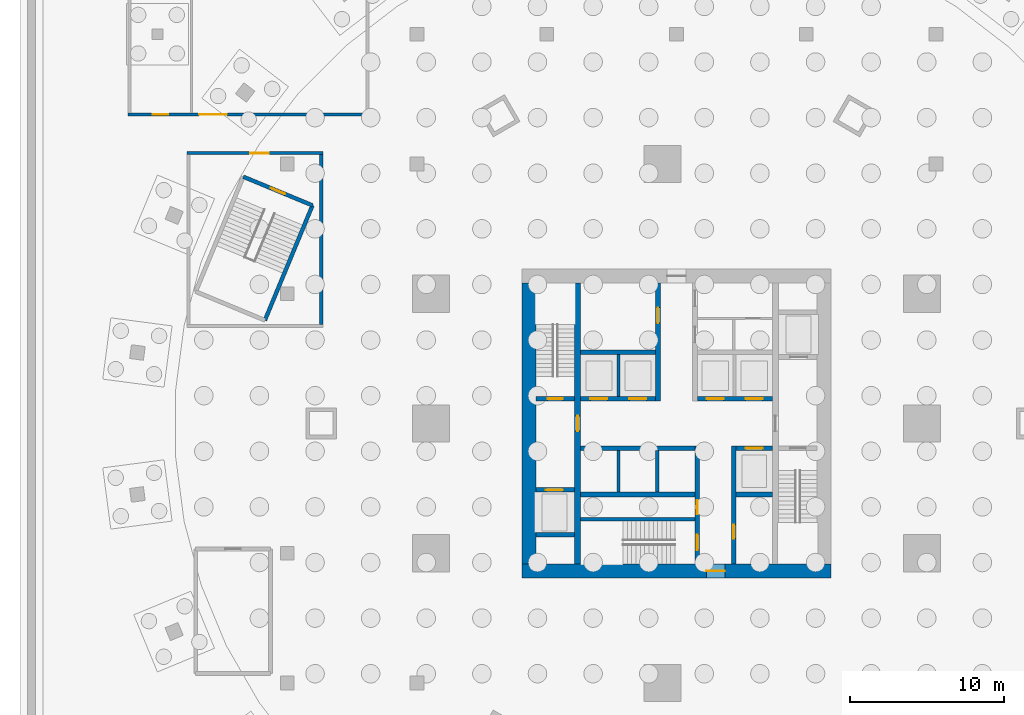
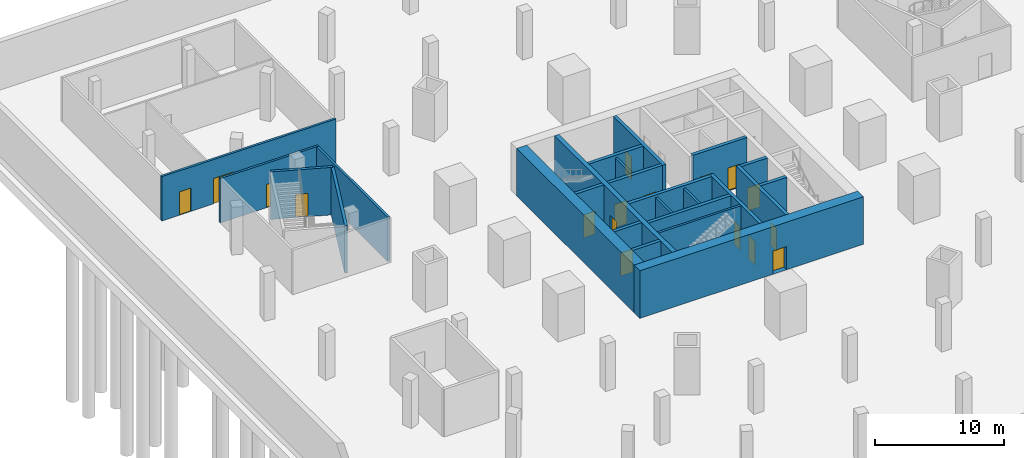
# One storey, part 5 of 12: 25 walls, 17 doors, 17 openings.
"""IFC4 building model written with IfcOpenShell, lengths in metres."""

from ifc_helpers import new_model, si_unit, direction, frame, frame_2d, origin, place, context, subcontext, project, spatial, rectangle, extrude, material, layer, layer_set, type_object, element, fill, save


model = new_model("IFC4")

# Units and contexts
model_context = context("Model", 3, precision=1e-05, world=origin(), true_north=direction((0.0, 1.0)))
body_context = subcontext(model_context, "Body", "Model", "MODEL_VIEW")
ifc_project = project(units=[si_unit("LENGTHUNIT", "METRE"), si_unit("AREAUNIT", "SQUARE_METRE"), si_unit("VOLUMEUNIT", "CUBIC_METRE"), si_unit("PLANEANGLEUNIT", "RADIAN"), si_unit("MASSUNIT", "GRAM", prefix="KILO")], contexts=[model_context])

# Site, building, storey
site_placement = place(None, origin())
site = spatial("IfcSite", under=ifc_project, at=site_placement, CompositionType="ELEMENT")
building_placement = place(site_placement, origin())
building = spatial("IfcBuilding", under=site, at=building_placement, Name="Golbaran Civic Tower", CompositionType="ELEMENT")
storey_placement = place(building_placement, frame((0.0, 0.0, -13.5)))
storey = spatial("IfcBuildingStorey", under=building, at=storey_placement, Name="B3", CompositionType="ELEMENT", Elevation=-13.5)

# Wall, openings, doors
ifc_material_1 = material(Name="Concrete block, fire-rated", Category="concrete")
ifc_layer_1 = layer(ifc_material_1, 0.199951171875, Name="Concrete block, fire-rated")
ifc_layer_set_1 = layer_set([ifc_layer_1], Name="Concrete block, fire-rated")
wall_type_1 = type_object("IfcWallType", Name="BASEMENT ROOM WALL 200", PredefinedType="PARTITIONING", material=ifc_layer_set_1)
wall_1_placement = place(storey_placement, frame((-35.5, 20.0, 0.0), z_axis=(0.0, 0.0, 1.0), x_axis=(1.0, 0.0, 0.0)))
wall_1 = element("IfcWall", 1, at=wall_1_placement, inside=storey, type_object=wall_type_1, Name="Main Plant Room wall B3", PredefinedType="PARTITIONING", context=body_context, shape_type="SweptSolid", body=[
    extrude(rectangle(XDim=15.60009765625, YDim=0.199951171875, at=frame_2d((7.800048828125, 0.0))), origin(), (0.0, 0.0, 1.0), 4.199951171875),
])
opening_1_placement = place(wall_1_placement, frame((4.60009765625, 0.0, 0.0)))
opening_1 = element("IfcOpeningElement", 2, at=opening_1_placement, cuts=wall_1, Name="Opening B3.03", PredefinedType="OPENING", context=body_context, shape_type="SweptSolid", body=[
    extrude(rectangle(XDim=1.800048828125, YDim=2.39990234375, at=frame_2d((0.89990234375, 1.199951171875))), frame((0.0, 0.10986328125, 0.0), z_axis=(0.0, -1.0, 0.0), x_axis=(1.0, 0.0, 0.0)), (0.0, 0.0, 1.0), 0.219970703125),
])
opening_2_placement = place(wall_1_placement, frame((1.60009765625, 0.0, 0.0)))
opening_2 = element("IfcOpeningElement", 3, at=opening_2_placement, cuts=wall_1, Name="Opening B3.04", PredefinedType="OPENING", context=body_context, shape_type="SweptSolid", body=[
    extrude(rectangle(XDim=1.0, YDim=2.199951171875, at=frame_2d((0.5, 1.10009765625))), frame((0.0, 0.10986328125, 0.0), z_axis=(0.0, -1.0, 0.0), x_axis=(1.0, 0.0, 0.0)), (0.0, 0.0, 1.0), 0.219970703125),
])
ifc_material_2 = material(Name="Steel door set, fire-rated", Category="steel")
door_type_1 = type_object("IfcDoorType", Name="BASEMENT ROOM DOOR 1000x2200", OperationType="SINGLE_SWING_LEFT", PredefinedType="DOOR", material=ifc_material_2)
door_1_placement = place(opening_2_placement, origin())
door_1 = element("IfcDoor", 4, at=door_1_placement, inside=storey, type_object=door_type_1, Name="Sprinkler Valve Room door B3", OperationType="SINGLE_SWING_LEFT", OverallHeight=2.199951171875, OverallWidth=1.0, PredefinedType="DOOR", context=body_context, shape_type="SweptSolid", body=[
    extrude(rectangle(XDim=1.0, YDim=2.199951171875, at=frame_2d((0.5, 1.10009765625))), frame((0.0, 0.02490234375, 0.0), z_axis=(0.0, -1.0, 0.0), x_axis=(1.0, 0.0, 0.0)), (0.0, 0.0, 1.0), 0.050048828125),
])
fill(opening_2, door_1)
door_type_2 = type_object("IfcDoorType", Name="BASEMENT ROOM DOUBLE DOOR 1800x2400", OperationType="DOUBLE_DOOR_SINGLE_SWING", PredefinedType="DOOR", material=ifc_material_2)
door_2_placement = place(opening_1_placement, origin())
door_2 = element("IfcDoor", 5, at=door_2_placement, inside=storey, type_object=door_type_2, Name="Pump Room door B3", OperationType="DOUBLE_DOOR_SINGLE_SWING", OverallHeight=2.39990234375, OverallWidth=1.800048828125, PredefinedType="DOOR", context=body_context, shape_type="SweptSolid", body=[
    extrude(rectangle(XDim=1.800048828125, YDim=2.39990234375, at=frame_2d((0.89990234375, 1.199951171875))), frame((0.0, 0.02490234375, 0.0), z_axis=(0.0, -1.0, 0.0), x_axis=(1.0, 0.0, 0.0)), (0.0, 0.0, 1.0), 0.050048828125),
])
fill(opening_1, door_2)

# Wall, opening, door
ifc_material_3 = material(Name="Concrete C50/60", Category="concrete")
ifc_layer_2 = layer(ifc_material_3, 0.39990234375, Name="Concrete C50/60")
ifc_layer_set_2 = layer_set([ifc_layer_2], Name="Concrete C50/60")
wall_type_2 = type_object("IfcWallType", Name="CORE WALL CONCRETE 400", PredefinedType="SOLIDWALL", material=ifc_layer_set_2)
wall_2_placement = place(storey_placement, frame((-6.39990234375, -9.10009765625, 0.0), z_axis=(0.0, 0.0, 1.0), x_axis=(0.0, 1.0, 0.0)))
wall_2 = element("IfcWall", 6, at=wall_2_placement, inside=storey, type_object=wall_type_2, Name="Core wall IW B3", PredefinedType="SOLIDWALL", context=body_context, shape_type="SweptSolid", body=[
    extrude(rectangle(XDim=18.2001953125, YDim=0.39990234375, at=frame_2d((9.10009765625, 0.0))), origin(), (0.0, 0.0, 1.0), 4.5),
])
opening_3_placement = place(wall_2_placement, frame((8.60009765625, 0.0, 0.0)))
opening_3 = element("IfcOpeningElement", 7, at=opening_3_placement, cuts=wall_2, Name="Opening B3.FL1", PredefinedType="OPENING", context=body_context, shape_type="SweptSolid", body=[
    extrude(rectangle(XDim=1.0, YDim=2.199951171875, at=frame_2d((0.5, 1.10009765625))), frame((0.0, 0.2099609375, 0.0), z_axis=(0.0, -1.0, 0.0), x_axis=(1.0, 0.0, 0.0)), (0.0, 0.0, 1.0), 0.419921875),
])
ifc_material_4 = material(Name="Timber door set in steel frame", Category="steel")
door_type_3 = type_object("IfcDoorType", Name="STAIR DOOR 1000x2200", OperationType="SINGLE_SWING_LEFT", PredefinedType="DOOR", material=ifc_material_4)
door_3_placement = place(opening_3_placement, origin())
door_3 = element("IfcDoor", 8, at=door_3_placement, inside=storey, type_object=door_type_3, Name="Fire-fighting lobby FL1 door", OperationType="SINGLE_SWING_LEFT", OverallHeight=2.199951171875, OverallWidth=1.0, PredefinedType="DOOR", context=body_context, shape_type="SweptSolid", body=[
    extrude(rectangle(XDim=1.0, YDim=2.199951171875, at=frame_2d((0.5, 1.10009765625))), frame((0.0, 0.02490234375, 0.0), z_axis=(0.0, -1.0, 0.0), x_axis=(1.0, 0.0, 0.0)), (0.0, 0.0, 1.0), 0.050048828125),
])
fill(opening_3, door_3)

ifc_layer_3 = layer(ifc_material_3, 0.89990234375, Name="Concrete C50/60")
ifc_layer_set_3 = layer_set([ifc_layer_3], Name="Concrete C50/60")
wall_type_3 = type_object("IfcWallType", Name="CORE WALL CONCRETE 900", PredefinedType="SOLIDWALL", material=ifc_layer_set_3)
wall_3_placement = place(storey_placement, frame((10.0, -9.550048828125, 0.0), z_axis=(0.0, 0.0, 1.0), x_axis=(-1.0, 0.0, 0.0)))
wall_3 = element("IfcWall", 9, at=wall_3_placement, inside=storey, type_object=wall_type_3, Name="Core wall CS B3", PredefinedType="SOLIDWALL", context=body_context, shape_type="SweptSolid", body=[
    extrude(rectangle(XDim=20.0, YDim=0.89990234375, at=frame_2d((10.0, 0.0))), origin(), (0.0, 0.0, 1.0), 4.5),
])
opening_4_placement = place(wall_3_placement, frame((6.875, 0.0, 0.0)))
opening_4 = element("IfcOpeningElement", 10, at=opening_4_placement, cuts=wall_3, Name="Opening B3.CS", PredefinedType="OPENING", context=body_context, shape_type="SweptSolid", body=[
    extrude(rectangle(XDim=1.199951171875, YDim=2.199951171875, at=frame_2d((0.60009765625, 1.10009765625))), frame((0.0, 0.4599609375, 0.0), z_axis=(0.0, -1.0, 0.0), x_axis=(1.0, 0.0, 0.0)), (0.0, 0.0, 1.0), 0.919921875),
])
door_type_4 = type_object("IfcDoorType", Name="CORE DOOR 1200x2200", OperationType="DOUBLE_DOOR_SINGLE_SWING", PredefinedType="DOOR", material=ifc_material_4)
door_4_placement = place(opening_4_placement, origin())
door_4 = element("IfcDoor", 11, at=door_4_placement, inside=storey, type_object=door_type_4, Name="Core door south", OperationType="DOUBLE_DOOR_SINGLE_SWING", OverallHeight=2.199951171875, OverallWidth=1.199951171875, PredefinedType="DOOR", context=body_context, shape_type="SweptSolid", body=[
    extrude(rectangle(XDim=1.199951171875, YDim=2.199951171875, at=frame_2d((0.60009765625, 1.10009765625))), frame((0.0, 0.02490234375, 0.0), z_axis=(0.0, -1.0, 0.0), x_axis=(1.0, 0.0, 0.0)), (0.0, 0.0, 1.0), 0.050048828125),
])
fill(opening_4, door_4)

# Walls
wall_4_placement = place(storey_placement, frame((-9.550048828125, 9.10009765625, 0.0), z_axis=(0.0, 0.0, 1.0), x_axis=(0.0, -1.0, 0.0)))
element("IfcWall", 12, at=wall_4_placement, inside=storey, type_object=wall_type_3, Name="Core wall CW B3", PredefinedType="SOLIDWALL", context=body_context, shape_type="SweptSolid", body=[
    extrude(rectangle(XDim=18.2001953125, YDim=0.89990234375, at=frame_2d((9.10009765625, 0.0))), origin(), (0.0, 0.0, 1.0), 4.5),
])
ifc_material_5 = material(Name="Concrete block", Category="concrete")
ifc_layer_4 = layer(ifc_material_5, 0.199951171875, Name="Concrete block")
ifc_layer_set_4 = layer_set([ifc_layer_4], Name="Concrete block")
wall_type_4 = type_object("IfcWallType", Name="LIFT SEPARATOR WALL 200", PredefinedType="SOLIDWALL", material=ifc_layer_set_4)
for number, where, z_axis, x_axis, name in (
    (13, (-3.75, 1.75, 0.0), (0.0, 0.0, 1.0), (0.0, 1.0, 0.0), "Core partition SNW B3"),
    (14, (-3.75, -1.75, 0.0), (0.0, 0.0, 1.0), (0.0, -1.0, 0.0), "Core partition SSW B3"),
    (15, (-1.25, -1.75, 0.0), (0.0, 0.0, 1.0), (0.0, -1.0, 0.0), "Core partition SSM B3"),
):
    element("IfcWall", number, at=place(storey_placement, frame(where, z_axis=z_axis, x_axis=x_axis)), inside=storey, type_object=wall_type_4, Name=name, PredefinedType="SOLIDWALL", context=body_context, shape_type="SweptSolid", body=[
        extrude(rectangle(XDim=2.699951171875, YDim=0.199951171875, at=frame_2d((1.35009765625, 0.0))), origin(), (0.0, 0.0, 1.0), 4.25),
    ])
ifc_layer_5 = layer(ifc_material_3, 0.199951171875, Name="Concrete C50/60")
ifc_layer_set_5 = layer_set([ifc_layer_5], Name="Concrete C50/60")
wall_type_5 = type_object("IfcWallType", Name="SHAFT WALL CONCRETE 200", PredefinedType="SOLIDWALL", material=ifc_layer_set_5)
wall_5_placement = place(storey_placement, frame((-6.199951171875, -6.199951171875, 0.0), z_axis=(0.0, 0.0, 1.0), x_axis=(1.0, 0.0, 0.0)))
element("IfcWall", 16, at=wall_5_placement, inside=storey, type_object=wall_type_5, Name="Core wall S3N B3", PredefinedType="SOLIDWALL", context=body_context, shape_type="SweptSolid", body=[
    extrude(rectangle(XDim=7.39990234375, YDim=0.199951171875, at=frame_2d((3.699951171875, 0.0))), origin(), (0.0, 0.0, 1.0), 4.5),
])

# Wall, openings, doors
ifc_layer_6 = layer(ifc_material_3, 0.300048828125, Name="Concrete C50/60")
ifc_layer_set_6 = layer_set([ifc_layer_6], Name="Concrete C50/60")
wall_type_6 = type_object("IfcWallType", Name="SHAFT WALL CONCRETE 300", PredefinedType="SOLIDWALL", material=ifc_layer_set_6)
wall_6_placement = place(storey_placement, frame((-6.199951171875, 1.60009765625, 0.0), z_axis=(0.0, 0.0, 1.0), x_axis=(1.0, 0.0, 0.0)))
wall_6 = element("IfcWall", 17, at=wall_6_placement, inside=storey, type_object=wall_type_6, Name="Core wall FNW B3", PredefinedType="SOLIDWALL", context=body_context, shape_type="SweptSolid", body=[
    extrude(rectangle(XDim=4.849853515625, YDim=0.300048828125, at=frame_2d((2.4248046875, 0.0))), origin(), (0.0, 0.0, 1.0), 4.5),
])
opening_5_placement = place(wall_6_placement, frame((0.625, 0.0, 0.0)))
opening_5 = element("IfcOpeningElement", 18, at=opening_5_placement, cuts=wall_6, Name="Opening B3.LD-Z1L", PredefinedType="OPENING", context=body_context, shape_type="SweptSolid", body=[
    extrude(rectangle(XDim=1.10009765625, YDim=2.199951171875, at=frame_2d((0.550048828125, 1.10009765625))), frame((0.0, 0.159912109375, 0.0), z_axis=(0.0, -1.0, 0.0), x_axis=(1.0, 0.0, 0.0)), (0.0, 0.0, 1.0), 0.320068359375),
])
opening_6_placement = place(wall_6_placement, frame((3.14990234375, 0.0, 0.0)))
opening_6 = element("IfcOpeningElement", 19, at=opening_6_placement, cuts=wall_6, Name="Opening B3.LD-Z2L", PredefinedType="OPENING", context=body_context, shape_type="SweptSolid", body=[
    extrude(rectangle(XDim=1.10009765625, YDim=2.199951171875, at=frame_2d((0.550048828125, 1.10009765625))), frame((0.0, 0.159912109375, 0.0), z_axis=(0.0, -1.0, 0.0), x_axis=(1.0, 0.0, 0.0)), (0.0, 0.0, 1.0), 0.320068359375),
])
ifc_material_6 = material(Name="Stainless steel", Category="steel")
door_type_5 = type_object("IfcDoorType", Name="LIFT LANDING DOOR 1100x2200", OperationType="SLIDING_TO_LEFT", PredefinedType="DOOR", material=ifc_material_6)
door_5_placement = place(opening_5_placement, origin())
door_5 = element("IfcDoor", 20, at=door_5_placement, inside=storey, type_object=door_type_5, Name="Lift landing door Z1L", OperationType="SLIDING_TO_LEFT", OverallHeight=2.199951171875, OverallWidth=1.10009765625, PredefinedType="DOOR", context=body_context, shape_type="SweptSolid", body=[
    extrude(rectangle(XDim=1.10009765625, YDim=2.199951171875, at=frame_2d((0.550048828125, 1.10009765625))), frame((0.0, 0.02490234375, 0.0), z_axis=(0.0, -1.0, 0.0), x_axis=(1.0, 0.0, 0.0)), (0.0, 0.0, 1.0), 0.050048828125),
])
fill(opening_5, door_5)
door_6_placement = place(opening_6_placement, origin())
door_6 = element("IfcDoor", 21, at=door_6_placement, inside=storey, type_object=door_type_5, Name="Lift landing door Z2L", OperationType="SLIDING_TO_LEFT", OverallHeight=2.199951171875, OverallWidth=1.10009765625, PredefinedType="DOOR", context=body_context, shape_type="SweptSolid", body=[
    extrude(rectangle(XDim=1.10009765625, YDim=2.199951171875, at=frame_2d((0.550048828125, 1.10009765625))), frame((0.0, 0.02490234375, 0.0), z_axis=(0.0, -1.0, 0.0), x_axis=(1.0, 0.0, 0.0)), (0.0, 0.0, 1.0), 0.050048828125),
])
fill(opening_6, door_6)

wall_7_placement = place(storey_placement, frame((1.35009765625, 1.60009765625, 0.0), z_axis=(0.0, 0.0, 1.0), x_axis=(1.0, 0.0, 0.0)))
wall_7 = element("IfcWall", 22, at=wall_7_placement, inside=storey, type_object=wall_type_6, Name="Core wall FNE B3", PredefinedType="SOLIDWALL", context=body_context, shape_type="SweptSolid", body=[
    extrude(rectangle(XDim=4.849853515625, YDim=0.300048828125, at=frame_2d((2.4248046875, 0.0))), origin(), (0.0, 0.0, 1.0), 4.5),
])
opening_7_placement = place(wall_7_placement, frame((0.60009765625, 0.0, 0.0)))
opening_7 = element("IfcOpeningElement", 23, at=opening_7_placement, cuts=wall_7, Name="Opening B3.LD-Z3L", PredefinedType="OPENING", context=body_context, shape_type="SweptSolid", body=[
    extrude(rectangle(XDim=1.10009765625, YDim=2.199951171875, at=frame_2d((0.550048828125, 1.10009765625))), frame((0.0, 0.159912109375, 0.0), z_axis=(0.0, -1.0, 0.0), x_axis=(1.0, 0.0, 0.0)), (0.0, 0.0, 1.0), 0.320068359375),
])
opening_8_placement = place(wall_7_placement, frame((3.125, 0.0, 0.0)))
opening_8 = element("IfcOpeningElement", 24, at=opening_8_placement, cuts=wall_7, Name="Opening B3.LD-Z4L", PredefinedType="OPENING", context=body_context, shape_type="SweptSolid", body=[
    extrude(rectangle(XDim=1.10009765625, YDim=2.199951171875, at=frame_2d((0.550048828125, 1.10009765625))), frame((0.0, 0.159912109375, 0.0), z_axis=(0.0, -1.0, 0.0), x_axis=(1.0, 0.0, 0.0)), (0.0, 0.0, 1.0), 0.320068359375),
])
door_7_placement = place(opening_7_placement, origin())
door_7 = element("IfcDoor", 25, at=door_7_placement, inside=storey, type_object=door_type_5, Name="Lift landing door Z3L", OperationType="SLIDING_TO_LEFT", OverallHeight=2.199951171875, OverallWidth=1.10009765625, PredefinedType="DOOR", context=body_context, shape_type="SweptSolid", body=[
    extrude(rectangle(XDim=1.10009765625, YDim=2.199951171875, at=frame_2d((0.550048828125, 1.10009765625))), frame((0.0, 0.02490234375, 0.0), z_axis=(0.0, -1.0, 0.0), x_axis=(1.0, 0.0, 0.0)), (0.0, 0.0, 1.0), 0.050048828125),
])
fill(opening_7, door_7)
door_8_placement = place(opening_8_placement, origin())
door_8 = element("IfcDoor", 26, at=door_8_placement, inside=storey, type_object=door_type_5, Name="Lift landing door Z4L", OperationType="SLIDING_TO_LEFT", OverallHeight=2.199951171875, OverallWidth=1.10009765625, PredefinedType="DOOR", context=body_context, shape_type="SweptSolid", body=[
    extrude(rectangle(XDim=1.10009765625, YDim=2.199951171875, at=frame_2d((0.550048828125, 1.10009765625))), frame((0.0, 0.02490234375, 0.0), z_axis=(0.0, -1.0, 0.0), x_axis=(1.0, 0.0, 0.0)), (0.0, 0.0, 1.0), 0.050048828125),
])
fill(opening_8, door_8)

# Wall
wall_8_placement = place(storey_placement, frame((-6.199951171875, 4.60009765625, 0.0), z_axis=(0.0, 0.0, 1.0), x_axis=(1.0, 0.0, 0.0)))
element("IfcWall", 27, at=wall_8_placement, inside=storey, type_object=wall_type_6, Name="Core wall BNW B3", PredefinedType="SOLIDWALL", context=body_context, shape_type="SweptSolid", body=[
    extrude(rectangle(XDim=4.849853515625, YDim=0.300048828125, at=frame_2d((2.4248046875, 0.0))), origin(), (0.0, 0.0, 1.0), 4.5),
])

# Wall, opening, door
wall_9_placement = place(storey_placement, frame((-1.199951171875, 1.449951171875, 0.0), z_axis=(0.0, 0.0, 1.0), x_axis=(0.0, 1.0, 0.0)))
wall_9 = element("IfcWall", 28, at=wall_9_placement, inside=storey, type_object=wall_type_6, Name="Core wall PNW B3", PredefinedType="SOLIDWALL", context=body_context, shape_type="SweptSolid", body=[
    extrude(rectangle(XDim=7.650146484375, YDim=0.300048828125, at=frame_2d((3.8251953125, 0.0))), origin(), (0.0, 0.0, 1.0), 4.5),
])
opening_9_placement = place(wall_9_placement, frame((5.050048828125, 0.0, 0.0)))
opening_9 = element("IfcOpeningElement", 29, at=opening_9_placement, cuts=wall_9, Name="Opening B3.WCM", PredefinedType="OPENING", context=body_context, shape_type="SweptSolid", body=[
    extrude(rectangle(XDim=1.0, YDim=2.199951171875, at=frame_2d((0.5, 1.10009765625))), frame((0.0, 0.159912109375, 0.0), z_axis=(0.0, -1.0, 0.0), x_axis=(1.0, 0.0, 0.0)), (0.0, 0.0, 1.0), 0.320068359375),
])
door_type_6 = type_object("IfcDoorType", Name="TOILET DOOR 1000x2200", OperationType="SINGLE_SWING_LEFT", PredefinedType="DOOR", material=ifc_material_4)
door_9_placement = place(opening_9_placement, origin())
door_9 = element("IfcDoor", 30, at=door_9_placement, inside=storey, type_object=door_type_6, Name="North-west toilet block door", OperationType="SINGLE_SWING_RIGHT", OverallHeight=2.199951171875, OverallWidth=1.0, PredefinedType="DOOR", context=body_context, shape_type="SweptSolid", body=[
    extrude(rectangle(XDim=1.0, YDim=2.199951171875, at=frame_2d((0.5, 1.10009765625))), frame((0.0, 0.02490234375, 0.0), z_axis=(0.0, -1.0, 0.0), x_axis=(1.0, 0.0, 0.0)), (0.0, 0.0, 1.0), 0.050048828125),
])
fill(opening_9, door_9)

# Wall
wall_10_placement = place(storey_placement, frame((-6.199951171875, -1.60009765625, 0.0), z_axis=(0.0, 0.0, 1.0), x_axis=(1.0, 0.0, 0.0)))
element("IfcWall", 31, at=wall_10_placement, inside=storey, type_object=wall_type_6, Name="Core wall FSW B3", PredefinedType="SOLIDWALL", context=body_context, shape_type="SweptSolid", body=[
    extrude(rectangle(XDim=7.39990234375, YDim=0.300048828125, at=frame_2d((3.699951171875, 0.0))), origin(), (0.0, 0.0, 1.0), 4.5),
])

# Wall, opening, door
wall_11_placement = place(storey_placement, frame((3.85009765625, -1.60009765625, 0.0), z_axis=(0.0, 0.0, 1.0), x_axis=(1.0, 0.0, 0.0)))
wall_11 = element("IfcWall", 32, at=wall_11_placement, inside=storey, type_object=wall_type_6, Name="Core wall FSE B3", PredefinedType="SOLIDWALL", context=body_context, shape_type="SweptSolid", body=[
    extrude(rectangle(XDim=2.349853515625, YDim=0.300048828125, at=frame_2d((1.1748046875, 0.0))), origin(), (0.0, 0.0, 1.0), 4.5),
])
opening_10_placement = place(wall_11_placement, frame((0.625, 0.0, 0.0)))
opening_10 = element("IfcOpeningElement", 33, at=opening_10_placement, cuts=wall_11, Name="Opening B3.LD-V1", PredefinedType="OPENING", context=body_context, shape_type="SweptSolid", body=[
    extrude(rectangle(XDim=1.10009765625, YDim=2.199951171875, at=frame_2d((0.550048828125, 1.10009765625))), frame((0.0, 0.159912109375, 0.0), z_axis=(0.0, -1.0, 0.0), x_axis=(1.0, 0.0, 0.0)), (0.0, 0.0, 1.0), 0.320068359375),
])
door_10_placement = place(opening_10_placement, origin())
door_10 = element("IfcDoor", 34, at=door_10_placement, inside=storey, type_object=door_type_5, Name="Lift landing door V1", OperationType="SLIDING_TO_LEFT", OverallHeight=2.199951171875, OverallWidth=1.10009765625, PredefinedType="DOOR", context=body_context, shape_type="SweptSolid", body=[
    extrude(rectangle(XDim=1.10009765625, YDim=2.199951171875, at=frame_2d((0.550048828125, 1.10009765625))), frame((0.0, 0.02490234375, 0.0), z_axis=(0.0, -1.0, 0.0), x_axis=(1.0, 0.0, 0.0)), (0.0, 0.0, 1.0), 0.050048828125),
])
fill(opening_10, door_10)

# Walls
wall_12_placement = place(storey_placement, frame((-6.199951171875, -4.60009765625, 0.0), z_axis=(0.0, 0.0, 1.0), x_axis=(1.0, 0.0, 0.0)))
element("IfcWall", 35, at=wall_12_placement, inside=storey, type_object=wall_type_6, Name="Core wall BSW B3", PredefinedType="SOLIDWALL", context=body_context, shape_type="SweptSolid", body=[
    extrude(rectangle(XDim=7.39990234375, YDim=0.300048828125, at=frame_2d((3.699951171875, 0.0))), origin(), (0.0, 0.0, 1.0), 4.5),
])
wall_13_placement = place(storey_placement, frame((3.85009765625, -4.60009765625, 0.0), z_axis=(0.0, 0.0, 1.0), x_axis=(1.0, 0.0, 0.0)))
element("IfcWall", 36, at=wall_13_placement, inside=storey, type_object=wall_type_6, Name="Core wall BSE B3", PredefinedType="SOLIDWALL", context=body_context, shape_type="SweptSolid", body=[
    extrude(rectangle(XDim=2.349853515625, YDim=0.300048828125, at=frame_2d((1.1748046875, 0.0))), origin(), (0.0, 0.0, 1.0), 4.5),
])

# Wall, openings, doors
wall_14_placement = place(storey_placement, frame((1.35009765625, -1.449951171875, 0.0), z_axis=(0.0, 0.0, 1.0), x_axis=(0.0, -1.0, 0.0)))
wall_14 = element("IfcWall", 37, at=wall_14_placement, inside=storey, type_object=wall_type_6, Name="Core wall PSW B3", PredefinedType="SOLIDWALL", context=body_context, shape_type="SweptSolid", body=[
    extrude(rectangle(XDim=7.650146484375, YDim=0.300048828125, at=frame_2d((3.8251953125, 0.0))), origin(), (0.0, 0.0, 1.0), 4.5),
])
opening_11_placement = place(wall_14_placement, frame((5.75, 0.0, 0.0)))
opening_11 = element("IfcOpeningElement", 38, at=opening_11_placement, cuts=wall_14, Name="Opening B3.S3", PredefinedType="OPENING", context=body_context, shape_type="SweptSolid", body=[
    extrude(rectangle(XDim=1.0, YDim=2.199951171875, at=frame_2d((0.5, 1.10009765625))), frame((0.0, 0.159912109375, 0.0), z_axis=(0.0, -1.0, 0.0), x_axis=(1.0, 0.0, 0.0)), (0.0, 0.0, 1.0), 0.320068359375),
])
opening_12_placement = place(wall_14_placement, frame((3.52490234375, 0.0, 0.0)))
opening_12 = element("IfcOpeningElement", 39, at=opening_12_placement, cuts=wall_14, Name="Opening B3.RE", PredefinedType="OPENING", context=body_context, shape_type="SweptSolid", body=[
    extrude(rectangle(XDim=0.89990234375, YDim=2.199951171875, at=frame_2d((0.449951171875, 1.10009765625))), frame((0.0, 0.159912109375, 0.0), z_axis=(0.0, -1.0, 0.0), x_axis=(1.0, 0.0, 0.0)), (0.0, 0.0, 1.0), 0.320068359375),
])
door_type_7 = type_object("IfcDoorType", Name="RISER DOOR 900x2200", OperationType="SINGLE_SWING_LEFT", PredefinedType="DOOR", material=ifc_material_4)
door_11_placement = place(opening_12_placement, origin())
door_11 = element("IfcDoor", 40, at=door_11_placement, inside=storey, type_object=door_type_7, Name="Electrical riser door", OperationType="SINGLE_SWING_RIGHT", OverallHeight=2.199951171875, OverallWidth=0.89990234375, PredefinedType="DOOR", context=body_context, shape_type="SweptSolid", body=[
    extrude(rectangle(XDim=0.89990234375, YDim=2.199951171875, at=frame_2d((0.449951171875, 1.10009765625))), frame((0.0, 0.02490234375, 0.0), z_axis=(0.0, -1.0, 0.0), x_axis=(1.0, 0.0, 0.0)), (0.0, 0.0, 1.0), 0.050048828125),
])
fill(opening_12, door_11)
door_12_placement = place(opening_11_placement, origin())
door_12 = element("IfcDoor", 41, at=door_12_placement, inside=storey, type_object=door_type_3, Name="Stair S3 door", OperationType="SINGLE_SWING_RIGHT", OverallHeight=2.199951171875, OverallWidth=1.0, PredefinedType="DOOR", context=body_context, shape_type="SweptSolid", body=[
    extrude(rectangle(XDim=1.0, YDim=2.199951171875, at=frame_2d((0.5, 1.10009765625))), frame((0.0, 0.02490234375, 0.0), z_axis=(0.0, -1.0, 0.0), x_axis=(1.0, 0.0, 0.0)), (0.0, 0.0, 1.0), 0.050048828125),
])
fill(opening_11, door_12)

# Wall, opening, door
wall_15_placement = place(storey_placement, frame((3.699951171875, -1.449951171875, 0.0), z_axis=(0.0, 0.0, 1.0), x_axis=(0.0, -1.0, 0.0)))
wall_15 = element("IfcWall", 42, at=wall_15_placement, inside=storey, type_object=wall_type_6, Name="Core wall PSE B3", PredefinedType="SOLIDWALL", context=body_context, shape_type="SweptSolid", body=[
    extrude(rectangle(XDim=7.650146484375, YDim=0.300048828125, at=frame_2d((3.8251953125, 0.0))), origin(), (0.0, 0.0, 1.0), 4.5),
])
opening_13_placement = place(wall_15_placement, frame((5.10009765625, 0.0, 0.0)))
opening_13 = element("IfcOpeningElement", 43, at=opening_13_placement, cuts=wall_15, Name="Opening B3.RM", PredefinedType="OPENING", context=body_context, shape_type="SweptSolid", body=[
    extrude(rectangle(XDim=0.89990234375, YDim=2.199951171875, at=frame_2d((0.449951171875, 1.10009765625))), frame((0.0, 0.159912109375, 0.0), z_axis=(0.0, -1.0, 0.0), x_axis=(1.0, 0.0, 0.0)), (0.0, 0.0, 1.0), 0.320068359375),
])
door_13_placement = place(opening_13_placement, origin())
door_13 = element("IfcDoor", 44, at=door_13_placement, inside=storey, type_object=door_type_7, Name="Mechanical riser door", OperationType="SINGLE_SWING_RIGHT", OverallHeight=2.199951171875, OverallWidth=0.89990234375, PredefinedType="DOOR", context=body_context, shape_type="SweptSolid", body=[
    extrude(rectangle(XDim=0.89990234375, YDim=2.199951171875, at=frame_2d((0.449951171875, 1.10009765625))), frame((0.0, 0.02490234375, 0.0), z_axis=(0.0, -1.0, 0.0), x_axis=(1.0, 0.0, 0.0)), (0.0, 0.0, 1.0), 0.050048828125),
])
fill(opening_13, door_13)

wall_16_placement = place(storey_placement, frame((-9.10009765625, 1.60009765625, 0.0), z_axis=(0.0, 0.0, 1.0), x_axis=(1.0, 0.0, 0.0)))
wall_16 = element("IfcWall", 45, at=wall_16_placement, inside=storey, type_object=wall_type_6, Name="Core wall XW1 B3", PredefinedType="SOLIDWALL", context=body_context, shape_type="SweptSolid", body=[
    extrude(rectangle(XDim=2.5, YDim=0.300048828125, at=frame_2d((1.25, 0.0))), origin(), (0.0, 0.0, 1.0), 4.5),
])
opening_14_placement = place(wall_16_placement, frame((0.75, 0.0, 0.0)))
opening_14 = element("IfcOpeningElement", 46, at=opening_14_placement, cuts=wall_16, Name="Opening B3.S1", PredefinedType="OPENING", context=body_context, shape_type="SweptSolid", body=[
    extrude(rectangle(XDim=1.0, YDim=2.199951171875, at=frame_2d((0.5, 1.10009765625))), frame((0.0, 0.159912109375, 0.0), z_axis=(0.0, -1.0, 0.0), x_axis=(1.0, 0.0, 0.0)), (0.0, 0.0, 1.0), 0.320068359375),
])
door_14_placement = place(opening_14_placement, origin())
door_14 = element("IfcDoor", 47, at=door_14_placement, inside=storey, type_object=door_type_3, Name="Stair S1 door", OperationType="SINGLE_SWING_LEFT", OverallHeight=2.199951171875, OverallWidth=1.0, PredefinedType="DOOR", context=body_context, shape_type="SweptSolid", body=[
    extrude(rectangle(XDim=1.0, YDim=2.199951171875, at=frame_2d((0.5, 1.10009765625))), frame((0.0, 0.02490234375, 0.0), z_axis=(0.0, -1.0, 0.0), x_axis=(1.0, 0.0, 0.0)), (0.0, 0.0, 1.0), 0.050048828125),
])
fill(opening_14, door_14)

wall_17_placement = place(storey_placement, frame((-9.10009765625, -4.300048828125, 0.0), z_axis=(0.0, 0.0, 1.0), x_axis=(1.0, 0.0, 0.0)))
wall_17 = element("IfcWall", 48, at=wall_17_placement, inside=storey, type_object=wall_type_6, Name="Core wall XW2 B3", PredefinedType="SOLIDWALL", context=body_context, shape_type="SweptSolid", body=[
    extrude(rectangle(XDim=2.5, YDim=0.300048828125, at=frame_2d((1.25, 0.0))), origin(), (0.0, 0.0, 1.0), 4.5),
])
opening_15_placement = place(wall_17_placement, frame((0.64990234375, 0.0, 0.0)))
opening_15 = element("IfcOpeningElement", 49, at=opening_15_placement, cuts=wall_17, Name="Opening B3.LD-F1", PredefinedType="OPENING", context=body_context, shape_type="SweptSolid", body=[
    extrude(rectangle(XDim=1.10009765625, YDim=2.199951171875, at=frame_2d((0.550048828125, 1.10009765625))), frame((0.0, 0.159912109375, 0.0), z_axis=(0.0, -1.0, 0.0), x_axis=(1.0, 0.0, 0.0)), (0.0, 0.0, 1.0), 0.320068359375),
])
door_15_placement = place(opening_15_placement, origin())
door_15 = element("IfcDoor", 50, at=door_15_placement, inside=storey, type_object=door_type_5, Name="Lift landing door F1", OperationType="SLIDING_TO_LEFT", OverallHeight=2.199951171875, OverallWidth=1.10009765625, PredefinedType="DOOR", context=body_context, shape_type="SweptSolid", body=[
    extrude(rectangle(XDim=1.10009765625, YDim=2.199951171875, at=frame_2d((0.550048828125, 1.10009765625))), frame((0.0, 0.02490234375, 0.0), z_axis=(0.0, -1.0, 0.0), x_axis=(1.0, 0.0, 0.0)), (0.0, 0.0, 1.0), 0.050048828125),
])
fill(opening_15, door_15)

# Wall
wall_18_placement = place(storey_placement, frame((-9.10009765625, -7.199951171875, 0.0), z_axis=(0.0, 0.0, 1.0), x_axis=(1.0, 0.0, 0.0)))
element("IfcWall", 51, at=wall_18_placement, inside=storey, type_object=wall_type_6, Name="Core wall XW3 B3", PredefinedType="SOLIDWALL", context=body_context, shape_type="SweptSolid", body=[
    extrude(rectangle(XDim=2.5, YDim=0.300048828125, at=frame_2d((1.25, 0.0))), origin(), (0.0, 0.0, 1.0), 4.5),
])

# Wall, opening, door
ifc_layer_7 = layer(ifc_material_3, 0.25, Name="Concrete C50/60")
ifc_layer_set_7 = layer_set([ifc_layer_7], Name="Concrete C50/60")
wall_type_7 = type_object("IfcWallType", Name="STAIR ENCLOSURE WALL CONCRETE 250", PredefinedType="SOLIDWALL", material=ifc_layer_set_7)
wall_19_placement = place(storey_placement, frame((-28.046875, 15.97412109375, 0.0), z_axis=(0.0, 0.0, 1.0), x_axis=(0.923862828997, -0.382723755727, 0.0)))
wall_19 = element("IfcWall", 52, at=wall_19_placement, inside=storey, type_object=wall_type_7, Name="Stair P2 enclosure A B3", PredefinedType="SOLIDWALL", context=body_context, shape_type="SweptSolid", body=[
    extrude(rectangle(XDim=4.85009765625, YDim=0.25, at=frame_2d((2.425048828125, 0.0))), origin(), (0.0, 0.0, 1.0), 4.5),
])
opening_16_placement = place(wall_19_placement, frame((1.925048828125, 0.0, 0.0)))
opening_16 = element("IfcOpeningElement", 53, at=opening_16_placement, cuts=wall_19, Name="Opening B3.P2", PredefinedType="OPENING", context=body_context, shape_type="SweptSolid", body=[
    extrude(rectangle(XDim=1.0, YDim=2.199951171875, at=frame_2d((0.5, 1.10009765625))), frame((0.0, 0.135009765625, 0.0), z_axis=(0.0, -1.0, 0.0), x_axis=(1.0, 0.0, 0.0)), (0.0, 0.0, 1.0), 0.27001953125),
])
door_16_placement = place(opening_16_placement, origin())
door_16 = element("IfcDoor", 54, at=door_16_placement, inside=storey, type_object=door_type_3, Name="Stair P2 door", OperationType="SINGLE_SWING_LEFT", OverallHeight=2.199951171875, OverallWidth=1.0, PredefinedType="DOOR", context=body_context, shape_type="SweptSolid", body=[
    extrude(rectangle(XDim=1.0, YDim=2.199951171875, at=frame_2d((0.5, 1.10009765625))), frame((0.0, 0.02490234375, 0.0), z_axis=(0.0, -1.0, 0.0), x_axis=(1.0, 0.0, 0.0)), (0.0, 0.0, 1.0), 0.050048828125),
])
fill(opening_16, door_16)

# Walls
wall_20_placement = place(storey_placement, frame((-23.566162109375, 14.117919921875, 0.0), z_axis=(0.0, 0.0, 1.0), x_axis=(-0.382689294869, -0.923877104161, 0.0)))
element("IfcWall", 55, at=wall_20_placement, inside=storey, type_object=wall_type_7, Name="Stair P2 enclosure B B3", PredefinedType="SOLIDWALL", context=body_context, shape_type="SweptSolid", body=[
    extrude(rectangle(XDim=8.0498046875, YDim=0.25, at=frame_2d((4.02490234375, 0.0))), origin(), (0.0, 0.0, 1.0), 4.5),
])
ifc_material_7 = material(Name="Reinforced blockwork, fire-rated", Category="masonry")
ifc_layer_8 = layer(ifc_material_7, 0.199951171875, Name="Reinforced blockwork, fire-rated")
ifc_layer_set_8 = layer_set([ifc_layer_8], Name="Reinforced blockwork, fire-rated")
wall_type_8 = type_object("IfcWallType", Name="STAIR LOBBY WALL 200", PredefinedType="PARTITIONING", material=ifc_layer_set_8)
wall_21_placement = place(storey_placement, frame((-23.0, 6.39990234375, 0.0), z_axis=(0.0, 0.0, 1.0), x_axis=(0.0, 1.0, 0.0)))
element("IfcWall", 56, at=wall_21_placement, inside=storey, type_object=wall_type_8, Name="Stair P2 lobby wall B3", PredefinedType="PARTITIONING", context=body_context, shape_type="SweptSolid", body=[
    extrude(rectangle(XDim=11.0, YDim=0.199951171875, at=frame_2d((5.5, 0.0))), origin(), (0.0, 0.0, 1.0), 4.199951171875),
])

# Wall, opening, door
wall_22_placement = place(storey_placement, frame((-22.89990234375, 17.5, 0.0), z_axis=(0.0, 0.0, 1.0), x_axis=(-1.0, 0.0, 0.0)))
wall_22 = element("IfcWall", 57, at=wall_22_placement, inside=storey, type_object=wall_type_8, Name="Stair P2 lobby wall B3", PredefinedType="PARTITIONING", context=body_context, shape_type="SweptSolid", body=[
    extrude(rectangle(XDim=8.800048828125, YDim=0.199951171875, at=frame_2d((4.39990234375, 0.0))), origin(), (0.0, 0.0, 1.0), 4.199951171875),
])
opening_17_placement = place(wall_22_placement, frame((3.5, 0.0, 0.0)))
opening_17 = element("IfcOpeningElement", 58, at=opening_17_placement, cuts=wall_22, Name="Opening B3.06", PredefinedType="OPENING", context=body_context, shape_type="SweptSolid", body=[
    extrude(rectangle(XDim=1.199951171875, YDim=2.199951171875, at=frame_2d((0.60009765625, 1.10009765625))), frame((0.0, 0.10986328125, 0.0), z_axis=(0.0, -1.0, 0.0), x_axis=(1.0, 0.0, 0.0)), (0.0, 0.0, 1.0), 0.219970703125),
])
ifc_material_8 = material(Name="Steel door set, fire-rated, self-closing", Category="steel")
door_type_8 = type_object("IfcDoorType", Name="STAIR LOBBY FIRE DOOR 1200x2200", OperationType="SINGLE_SWING_LEFT", PredefinedType="DOOR", material=ifc_material_8)
door_17_placement = place(opening_17_placement, origin())
door_17 = element("IfcDoor", 59, at=door_17_placement, inside=storey, type_object=door_type_8, Name="Stair P2 lobby door B3", OperationType="SINGLE_SWING_LEFT", OverallHeight=2.199951171875, OverallWidth=1.199951171875, PredefinedType="DOOR", context=body_context, shape_type="SweptSolid", body=[
    extrude(rectangle(XDim=1.199951171875, YDim=2.199951171875, at=frame_2d((0.60009765625, 1.10009765625))), frame((0.0, 0.02490234375, 0.0), z_axis=(0.0, -1.0, 0.0), x_axis=(1.0, 0.0, 0.0)), (0.0, 0.0, 1.0), 0.050048828125),
])
fill(opening_17, door_17)

save(model, "model.ifc")
